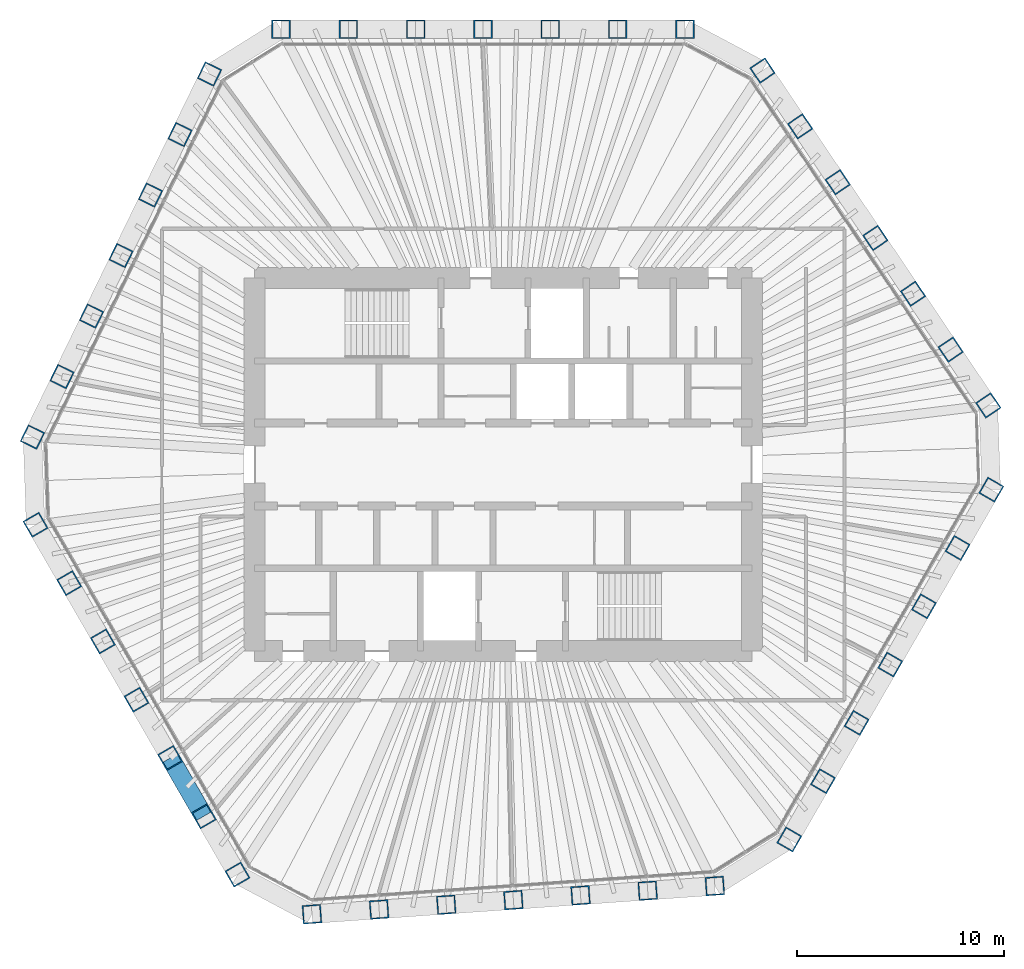
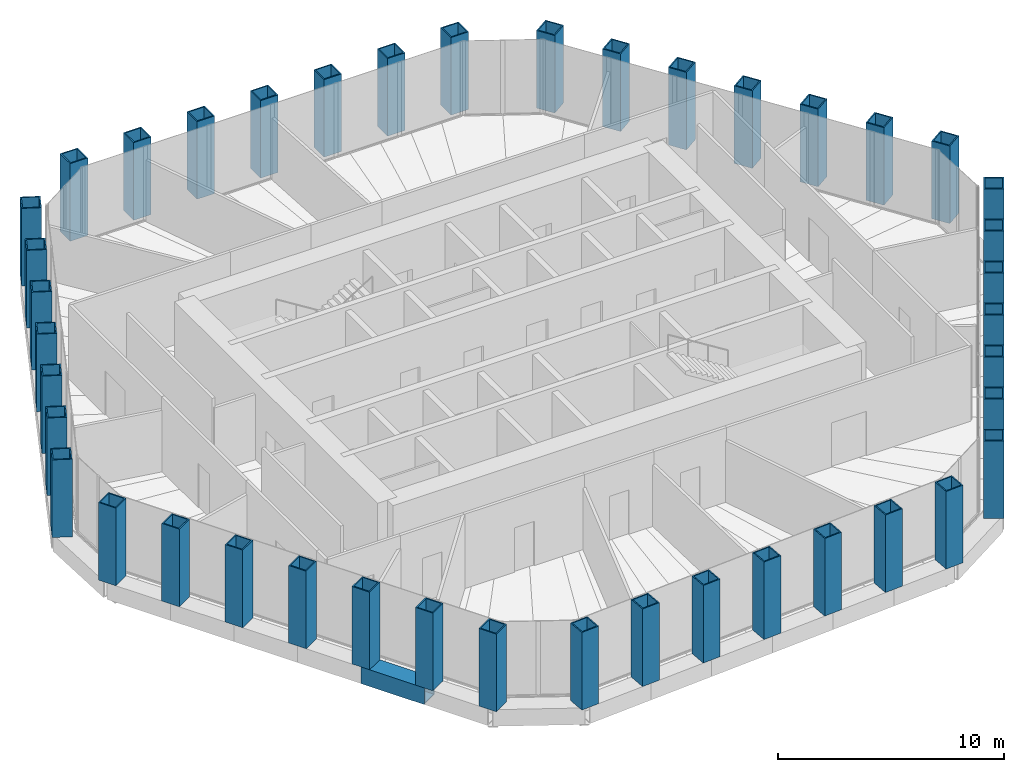
# One storey, part 1 of 14: 42 columns, 1 beam.
"""IFC4 building model written with IfcOpenShell, lengths in metres."""

from ifc_helpers import new_model, si_unit, direction, frame, origin, origin_2d, place, context, subcontext, project, spatial, hollow_rectangle, extrude, material, material_profile, profile_set, type_object, element, save


model = new_model("IFC4")

# Units and contexts
model_context = context("Model", 3, precision=1e-05, world=origin(), true_north=direction((0.0, 1.0)))
body_context = subcontext(model_context, "Body", "Model", "MODEL_VIEW")
ifc_project = project(units=[si_unit("LENGTHUNIT", "METRE"), si_unit("AREAUNIT", "SQUARE_METRE"), si_unit("VOLUMEUNIT", "CUBIC_METRE"), si_unit("PLANEANGLEUNIT", "RADIAN"), si_unit("MASSUNIT", "GRAM", prefix="KILO")], contexts=[model_context])

# Site, building, storey
site_placement = place(None, origin())
site = spatial("IfcSite", under=ifc_project, at=site_placement, CompositionType="ELEMENT")
building_placement = place(site_placement, origin())
building = spatial("IfcBuilding", under=site, at=building_placement, Name="Qingtian Harvest Tower", CompositionType="ELEMENT")
storey_placement = place(building_placement, frame((0.0, 0.0, 270.39990234375)))
storey = spatial("IfcBuildingStorey", under=building, at=storey_placement, Name="L59", CompositionType="ELEMENT", Elevation=270.39990234375)

# Columns
ifc_material_1 = material(Name="Steel SM570MC", Category="steel")
ifc_material_profile_1 = material_profile(ifc_material_1, hollow_rectangle(XDim=0.89990234375, YDim=0.89990234375, WallThickness=0.06005859375, at=origin_2d()), Name="BOX900x900x60")
ifc_profile_set_1 = profile_set([ifc_material_profile_1], Name="Steel SM570MC")
column_type = type_object("IfcColumnType", Name="Tube column TC7 BOX900x900x60", PredefinedType="COLUMN", material=ifc_profile_set_1)
for number, where, z_axis, x_axis, name in (
    (1, (-10.72216796875, 21.0, 0.0), (0.0, 0.0, 1.0), (-1.0, 0.0, 0.0), "Tube column TC7 N0"),
    (2, (-7.47412109375, 21.0, 0.0), (0.0, 0.0, 1.0), (-1.0, 0.0, 0.0), "Tube column TC7 N1"),
    (3, (-4.226318359375, 21.0, 0.0), (0.0, 0.0, 1.0), (-1.0, 0.0, 0.0), "Tube column TC7 N2"),
    (4, (-0.978271484375, 21.0, 0.0), (0.0, 0.0, 1.0), (-1.0, 0.0, 0.0), "Tube column TC7 N3"),
    (5, (2.269775390625, 21.0, 0.0), (0.0, 0.0, 1.0), (-1.0, 0.0, 0.0), "Tube column TC7 N4"),
    (6, (5.517822265625, 21.0, 0.0), (0.0, 0.0, 1.0), (-1.0, 0.0, 0.0), "Tube column TC7 N5"),
    (7, (8.765869140625, 21.0, 0.0), (0.0, 0.0, 1.0), (-1.0, 0.0, 0.0), "Tube column TC7 N6"),
    (8, (12.508056640625, 19.01025390625, 0.0), (0.0, 0.0, 1.0), (-0.559192903471, 0.829037572555, 0.0), "Tube column TC7 NE0"),
    (9, (14.32421875, 16.317626953125, 0.0), (0.0, 0.0, 1.0), (-0.559192903471, 0.829037572555, 0.0), "Tube column TC7 NE1"),
    (10, (16.140625, 13.624755859375, 0.0), (0.0, 0.0, 1.0), (-0.559192903471, 0.829037572555, 0.0), "Tube column TC7 NE2"),
    (11, (17.956787109375, 10.93212890625, 0.0), (0.0, 0.0, 1.0), (-0.559192903471, 0.829037572555, 0.0), "Tube column TC7 NE3"),
    (12, (19.77294921875, 8.2392578125, 0.0), (0.0, 0.0, 1.0), (-0.559192903471, 0.829037572555, 0.0), "Tube column TC7 NE4"),
    (13, (21.58935546875, 5.546630859375, 0.0), (0.0, 0.0, 1.0), (-0.559192903471, 0.829037572555, 0.0), "Tube column TC7 NE5"),
    (14, (23.405517578125, 2.85400390625, 0.0), (0.0, 0.0, 1.0), (-0.559192903471, 0.829037572555, 0.0), "Tube column TC7 NE6"),
    (15, (23.547607421875, -1.21435546875, 0.0), (0.0, 0.0, 1.0), (0.5, 0.866025403784, 0.0), "Tube column TC7 SE0"),
    (16, (21.923583984375, -4.027099609375, 0.0), (0.0, 0.0, 1.0), (0.5, 0.866025403784, 0.0), "Tube column TC7 SE1"),
    (17, (20.299560546875, -6.840087890625, 0.0), (0.0, 0.0, 1.0), (0.5, 0.866025403784, 0.0), "Tube column TC7 SE2"),
    (18, (18.675537109375, -9.65283203125, 0.0), (0.0, 0.0, 1.0), (0.5, 0.866025403784, 0.0), "Tube column TC7 SE3"),
    (19, (17.051513671875, -12.4658203125, 0.0), (0.0, 0.0, 1.0), (0.5, 0.866025403784, 0.0), "Tube column TC7 SE4"),
    (20, (15.427490234375, -15.278564453125, 0.0), (0.0, 0.0, 1.0), (0.5, 0.866025403784, 0.0), "Tube column TC7 SE5"),
    (21, (13.803466796875, -18.091552734375, 0.0), (0.0, 0.0, 1.0), (0.5, 0.866025403784, 0.0), "Tube column TC7 SE6"),
    (22, (10.20947265625, -20.33740234375, 0.0), (0.0, 0.0, 1.0), (0.99756405026, 0.069756473744, 0.0), "Tube column TC7 S0"),
    (23, (6.96923828125, -20.56396484375, 0.0), (0.0, 0.0, 1.0), (0.99756405026, 0.069756473744, 0.0), "Tube column TC7 S1"),
    (24, (3.729248046875, -20.79052734375, 0.0), (0.0, 0.0, 1.0), (0.99756405026, 0.069756473744, 0.0), "Tube column TC7 S2"),
    (25, (0.489013671875, -21.01708984375, 0.0), (0.0, 0.0, 1.0), (0.99756405026, 0.069756473744, 0.0), "Tube column TC7 S3"),
    (26, (-2.7509765625, -21.24365234375, 0.0), (0.0, 0.0, 1.0), (0.99756405026, 0.069756473744, 0.0), "Tube column TC7 S4"),
    (27, (-5.9912109375, -21.47021484375, 0.0), (0.0, 0.0, 1.0), (0.99756405026, 0.069756473744, 0.0), "Tube column TC7 S5"),
    (28, (-9.231201171875, -21.69677734375, 0.0), (0.0, 0.0, 1.0), (0.99756405026, 0.069756473744, 0.0), "Tube column TC7 S6"),
    (29, (-12.825439453125, -19.78564453125, 0.0), (0.0, 0.0, 1.0), (0.5, -0.866025403784, 0.0), "Tube column TC7 SW0"),
    (30, (-14.449462890625, -16.972900390625, 0.0), (0.0, 0.0, 1.0), (0.5, -0.866025403784, 0.0), "Tube column TC7 SW1"),
    (31, (-16.073486328125, -14.159912109375, 0.0), (0.0, 0.0, 1.0), (0.5, -0.866025403784, 0.0), "Tube column TC7 SW2"),
    (32, (-17.697509765625, -11.34716796875, 0.0), (0.0, 0.0, 1.0), (0.5, -0.866025403784, 0.0), "Tube column TC7 SW3"),
    (33, (-19.321533203125, -8.5341796875, 0.0), (0.0, 0.0, 1.0), (0.5, -0.866025403784, 0.0), "Tube column TC7 SW4"),
    (34, (-20.945556640625, -5.721435546875, 0.0), (0.0, 0.0, 1.0), (0.5, -0.866025403784, 0.0), "Tube column TC7 SW5"),
    (35, (-22.569580078125, -2.908447265625, 0.0), (0.0, 0.0, 1.0), (0.5, -0.866025403784, 0.0), "Tube column TC7 SW6"),
    (36, (-22.71728515625, 1.3271484375, 0.0), (0.0, 0.0, 1.0), (-0.438371146789, -0.898794046299, 0.0), "Tube column TC7 NW0"),
    (37, (-21.29345703125, 4.246337890625, 0.0), (0.0, 0.0, 1.0), (-0.438371146789, -0.898794046299, 0.0), "Tube column TC7 NW1"),
    (38, (-19.86962890625, 7.165771484375, 0.0), (0.0, 0.0, 1.0), (-0.438371146789, -0.898794046299, 0.0), "Tube column TC7 NW2"),
    (39, (-18.44580078125, 10.0849609375, 0.0), (0.0, 0.0, 1.0), (-0.438371146789, -0.898794046299, 0.0), "Tube column TC7 NW3"),
    (40, (-17.02197265625, 13.00439453125, 0.0), (0.0, 0.0, 1.0), (-0.438371146789, -0.898794046299, 0.0), "Tube column TC7 NW4"),
    (41, (-15.59814453125, 15.923583984375, 0.0), (0.0, 0.0, 1.0), (-0.438371146789, -0.898794046299, 0.0), "Tube column TC7 NW5"),
    (42, (-14.17431640625, 18.8427734375, 0.0), (0.0, 0.0, 1.0), (-0.438371146789, -0.898794046299, 0.0), "Tube column TC7 NW6"),
):
    element("IfcColumn", number, at=place(storey_placement, frame(where, z_axis=z_axis, x_axis=x_axis)), inside=storey, type_object=column_type, Name=name, PredefinedType="COLUMN", context=body_context, shape_type="SweptSolid", body=[
        extrude(hollow_rectangle(XDim=0.89990234375, YDim=0.89990234375, WallThickness=0.06005859375, at=origin_2d()), origin(), (0.0, 0.0, 1.0), 4.2001953125),
    ])

# Beam
ifc_material_2 = material(Name="Steel SM570MC", Category="steel")
ifc_material_profile_2 = material_profile(ifc_material_2, hollow_rectangle(XDim=0.89990234375, YDim=0.89990234375, WallThickness=0.050048828125, at=origin_2d()), Name="BOX900x900x50")
ifc_profile_set_2 = profile_set([ifc_material_profile_2], Name="Steel SM570MC")
beam_type = type_object("IfcBeamType", Name="Transition spandrel SB6 BOX900x900x50", PredefinedType="SPANDREL", material=ifc_profile_set_2)
beam_placement = place(storey_placement, frame((-14.449462890625, -16.972900390625, -0.449951171875), z_axis=(-0.499987045439, 0.866032882975, 0.0), x_axis=(-0.866032882975, -0.499987045439, 0.0)))
element("IfcBeam", 43, at=beam_placement, inside=storey, type_object=beam_type, Name="Spandrel SB6 SW1", PredefinedType="SPANDREL", context=body_context, shape_type="SweptSolid", body=[
    extrude(hollow_rectangle(XDim=0.89990234375, YDim=0.89990234375, WallThickness=0.050048828125, at=origin_2d()), origin(), (0.0, 0.0, 1.0), 3.248046875),
])

save(model, "model.ifc")
